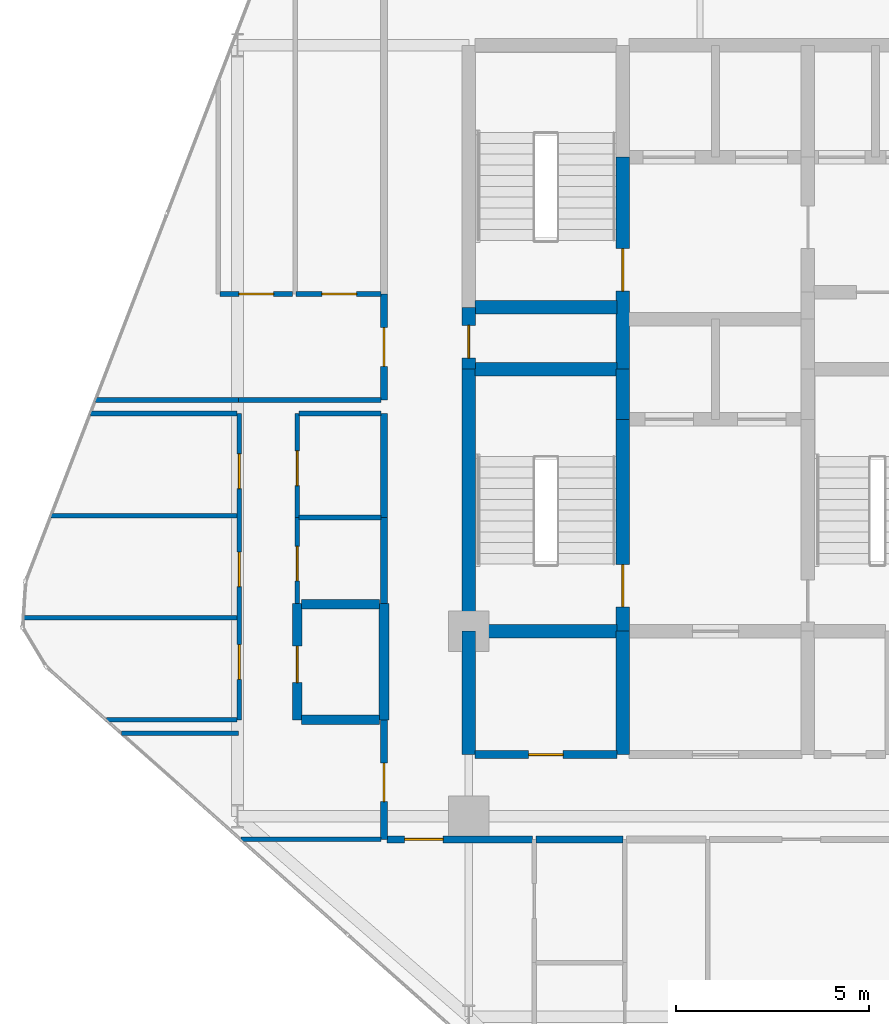
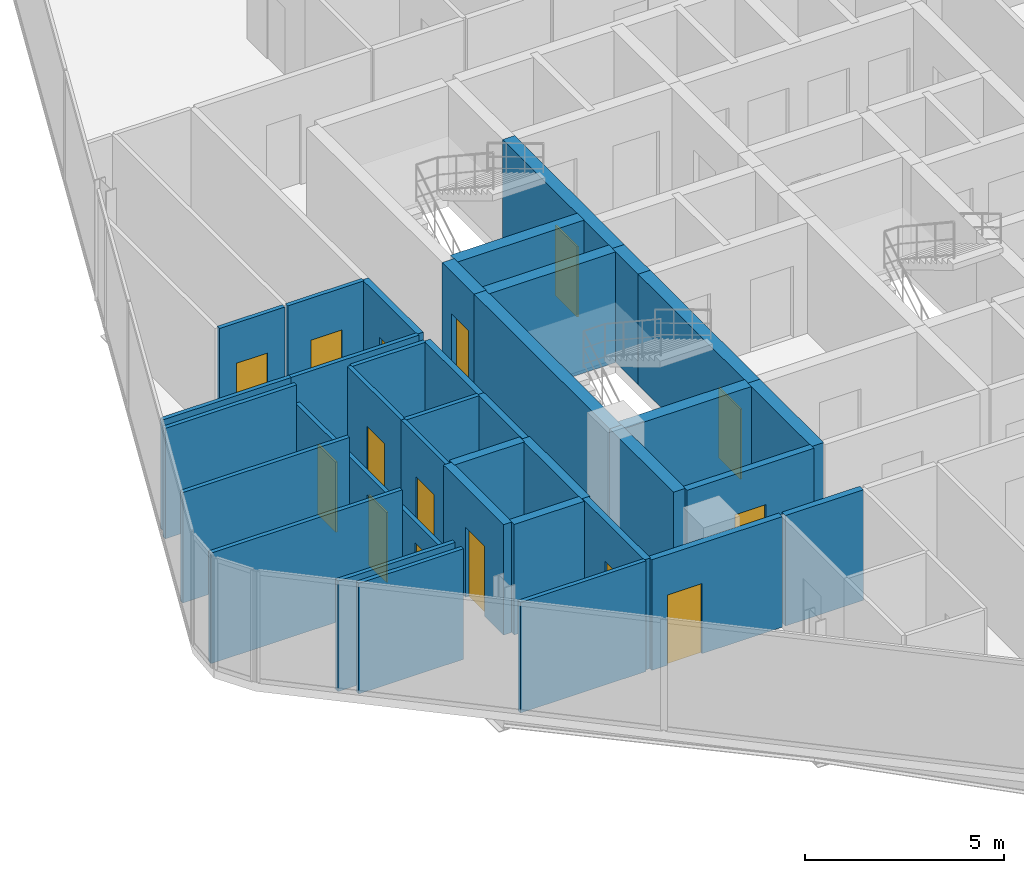
# One storey, part 23 of 29: 36 walls, 15 doors, 15 openings.
"""IFC4 building model written with IfcOpenShell, lengths in metres."""

import ifcopenshell
import ifcopenshell.guid

model = None  # the IFC model being written
_history = None  # IfcOwnerHistory: only IFC2X3 demands one
_inside = {}  # id of a spatial element -> (the spatial element, [elements in it])
_under = {}  # id of a project, library or spatial element -> (it, [spatial elements below it])
_declared = {}  # id of a project -> (the project, [libraries it declares])
_typed = {}  # id of a type object -> (the type object, [elements of that type])
_made_of = {}  # id of a material, layer set ... -> (it, [elements and type objects made of it])


def new_model(schema):
    """Start an empty IFC model of exactly this schema.

    Asked for "IFC4X3", IfcOpenShell would pick the latest addendum, in which some entities
    have other attributes; the version numbers below select the first issue.
    IFC2X3 requires an IfcOwnerHistory on every rooted entity: one is made here for all.
    """
    global model, _history
    if schema == "IFC4X3":
        model = ifcopenshell.file(schema_version=(4, 3, 0, 0))
    else:
        model = ifcopenshell.file(schema=schema)
    _inside.clear()
    _under.clear()
    _declared.clear()
    _typed.clear()
    _made_of.clear()
    _history = None
    if model.schema == "IFC2X3":
        org = make("IfcOrganization", Name="unknown")
        user = make(
            "IfcPersonAndOrganization",
            ThePerson=make("IfcPerson", FamilyName="unknown"),
            TheOrganization=org,
        )
        app = make(
            "IfcApplication",
            ApplicationDeveloper=org,
            Version="unknown",
            ApplicationFullName="unknown",
            ApplicationIdentifier="unknown",
        )
        _history = make(
            "IfcOwnerHistory",
            OwningUser=user,
            OwningApplication=app,
            ChangeAction="ADDED",
            CreationDate=0,
        )
    return model


def make(cls, **values):
    """One entity of the class cls with the attributes given. An attribute that is None is left unset."""
    return model.create_entity(
        cls, **{name: value for name, value in values.items() if value is not None}
    )


def rooted(cls, **values):
    """An entity with a GlobalId (a new one), such as an element, a storey or a relation."""
    return make(cls, GlobalId=ifcopenshell.guid.new(), OwnerHistory=_history, **values)


def si_unit(unit_type, name, prefix=None):
    """IfcSIUnit, for example si_unit("LENGTHUNIT", "METRE", prefix="MILLI")."""
    return make("IfcSIUnit", UnitType=unit_type, Prefix=prefix, Name=name)


def assignment(units):
    """IfcUnitAssignment: the units of a project."""
    return None if units is None else make("IfcUnitAssignment", Units=units)


def point(xyz):
    """IfcCartesianPoint."""
    return None if xyz is None else make("IfcCartesianPoint", Coordinates=xyz)


def direction(xyz):
    """IfcDirection."""
    return None if xyz is None else make("IfcDirection", DirectionRatios=xyz)


def frame(location, z_axis=None, x_axis=None):
    """IfcAxis2Placement3D, a coordinate frame: its origin and axes. An axis left out is left unset."""
    return make(
        "IfcAxis2Placement3D",
        Location=point(location),
        Axis=direction(z_axis),
        RefDirection=direction(x_axis),
    )


def frame_2d(location, x_axis=None):
    """IfcAxis2Placement2D, a coordinate frame in the plane: its origin and x axis."""
    return make(
        "IfcAxis2Placement2D", Location=point(location), RefDirection=direction(x_axis)
    )


def origin():
    """The frame at (0, 0, 0) with its axes left unset."""
    return frame((0.0, 0.0, 0.0))


def place(relative_to, where):
    """IfcLocalPlacement: puts the frame where relative to a parent placement (None: the world)."""
    return make(
        "IfcLocalPlacement", PlacementRelTo=relative_to, RelativePlacement=where
    )


def context(
    kind, dimensions, precision=None, world=None, true_north=None, identifier=None
):
    """IfcGeometricRepresentationContext, for example the 3D "Model" context."""
    return make(
        "IfcGeometricRepresentationContext",
        ContextIdentifier=identifier,
        ContextType=kind,
        CoordinateSpaceDimension=dimensions,
        Precision=precision,
        WorldCoordinateSystem=world,
        TrueNorth=true_north,
    )


def subcontext(parent, identifier, kind, view, scale=None):
    """IfcGeometricRepresentationSubContext, for example "Body" below "Model"."""
    return make(
        "IfcGeometricRepresentationSubContext",
        ContextIdentifier=identifier,
        ContextType=kind,
        ParentContext=parent,
        TargetScale=scale,
        TargetView=view,
    )


def project(units=None, contexts=None):
    """IfcProject with its units and contexts."""
    return rooted(
        "IfcProject",
        Name="project",
        RepresentationContexts=contexts,
        UnitsInContext=assignment(units),
    )


def spatial(cls, under=None, at=None, **own):
    """A site, building, storey or space (cls), placed at a placement, below another one or the project."""
    s = rooted(cls, ObjectPlacement=at, **own)
    if under is not None:
        _under.setdefault(under.id(), (under, []))[1].append(s)
    return s


def profile(cls, at=None, kind="AREA", **sizes):
    """A parametric profile (cls). Its sizes go by their IFC names, for example OverallWidth=200.0."""
    return make(cls, ProfileType=kind, Position=at, **sizes)


def rectangle(**sizes):
    """IfcRectangleProfileDef."""
    return profile("IfcRectangleProfileDef", **sizes)


def extrude(swept, where, along, depth):
    """IfcExtrudedAreaSolid: the profile swept, set in the frame where, extruded along a direction by depth."""
    return make(
        "IfcExtrudedAreaSolid",
        SweptArea=swept,
        Position=where,
        ExtrudedDirection=direction(along),
        Depth=depth,
    )


def shape(context_of_items, identifier, shape_type, items):
    """IfcShapeRepresentation: the items that make up one representation, for example the "Body"."""
    return make(
        "IfcShapeRepresentation",
        ContextOfItems=context_of_items,
        RepresentationIdentifier=identifier,
        RepresentationType=shape_type,
        Items=items,
    )


def material(Name=None, Category=None):
    """IfcMaterial."""
    return make("IfcMaterial", Name=Name, Category=Category)


def layer(
    of_material, thickness, ventilated=None, Name=None, Category=None, Priority=None
):
    """IfcMaterialLayer: one layer of a wall or slab, of a material (None: an air gap)."""
    return make(
        "IfcMaterialLayer",
        Material=of_material,
        LayerThickness=thickness,
        IsVentilated=ventilated,
        Name=Name,
        Category=Category,
        Priority=Priority,
    )


def layer_set(layers, Name=None):
    """IfcMaterialLayerSet."""
    return make("IfcMaterialLayerSet", MaterialLayers=layers, LayerSetName=Name)


def made_of(thing, what):
    """Note that an element or type object is made of a material, layer set ...; save() writes the relation."""
    if what is not None:
        _made_of.setdefault(what.id(), (what, []))[1].append(thing)
    return thing


def type_object(cls, material=None, **own):
    """A type object (cls), such as IfcWallType, which elements share."""
    return made_of(rooted(cls, **own), material)


def element(
    cls,
    number,
    at=None,
    inside=None,
    cuts=None,
    type_object=None,
    material=None,
    context=None,
    identifier="Body",
    shape_type=None,
    held_by="IfcProductDefinitionShape",
    body=None,
    shapes=None,
    **own,
):
    """One element of the class cls, such as IfcWall. Its Tag is "e" and its number.

    at: its placement. inside: the storey or other place that contains it. cuts: it is an
    opening in that element (IfcRelVoidsElement). A single representation is given by context,
    identifier, shape_type and body (its items); several are given by shapes. held_by: the class
    of the entity that holds the representations. save() writes the other relations.
    """
    e = rooted(cls, Tag="e%d" % number, ObjectPlacement=at, **own)
    if body is not None:
        shapes = [shape(context, identifier, shape_type, body)]
    if shapes is not None:
        e.Representation = make(held_by, Representations=shapes)
    if inside is not None:
        _inside.setdefault(inside.id(), (inside, []))[1].append(e)
    if cuts is not None:
        rooted(
            "IfcRelVoidsElement", RelatingBuildingElement=cuts, RelatedOpeningElement=e
        )
    if type_object is not None:
        _typed.setdefault(type_object.id(), (type_object, []))[1].append(e)
    return made_of(e, material)


def fill(opening, filler):
    """IfcRelFillsElement: the door or window that sits in an opening."""
    return rooted(
        "IfcRelFillsElement",
        RelatingOpeningElement=opening,
        RelatedBuildingElement=filler,
    )


def aggregate(whole, parts):
    """IfcRelAggregates: a whole, such as a stair, and the parts it consists of."""
    return rooted("IfcRelAggregates", RelatingObject=whole, RelatedObjects=parts)


def save(model, path):
    """Write the relations noted so far, then the file.

    IfcRelAggregates (storeys below a building ...), IfcRelContainedInSpatialStructure (elements
    in a storey), IfcRelDefinesByType, IfcRelAssociatesMaterial and IfcRelDeclares: one each for
    every whole, place, type object, material and project.
    """
    for whole, parts in _under.values():
        aggregate(whole, parts)
    for where, things in _inside.values():
        rooted(
            "IfcRelContainedInSpatialStructure",
            RelatedElements=things,
            RelatingStructure=where,
        )
    for kind, things in _typed.values():
        rooted("IfcRelDefinesByType", RelatedObjects=things, RelatingType=kind)
    for what, things in _made_of.values():
        rooted("IfcRelAssociatesMaterial", RelatedObjects=things, RelatingMaterial=what)
    for by, libraries in _declared.values():
        rooted("IfcRelDeclares", RelatingContext=by, RelatedDefinitions=libraries)
    model.write(path)


model = new_model("IFC4")

# Units and contexts
model_context = context("Model", 3, precision=1e-05, world=origin(), true_north=direction((0.0, 1.0)))
body_context = subcontext(model_context, "Body", "Model", "MODEL_VIEW")
ifc_project = project(units=[si_unit("LENGTHUNIT", "METRE"), si_unit("AREAUNIT", "SQUARE_METRE"), si_unit("VOLUMEUNIT", "CUBIC_METRE"), si_unit("PLANEANGLEUNIT", "RADIAN"), si_unit("MASSUNIT", "GRAM", prefix="KILO")], contexts=[model_context])

# Site, building, storey
site_placement = place(None, origin())
site = spatial("IfcSite", under=ifc_project, at=site_placement, CompositionType="ELEMENT")
building_placement = place(site_placement, origin())
building = spatial("IfcBuilding", under=site, at=building_placement, Name="Keshet Zoharim Tower", CompositionType="ELEMENT")
storey_placement = place(building_placement, frame((0.0, 0.0, 105.699951171875)))
storey = spatial("IfcBuildingStorey", under=building, at=storey_placement, Name="L25", CompositionType="ELEMENT", Elevation=105.699951171875)

# Walls
ifc_material_1 = material(Name="Concrete C60/75", Category="concrete")
ifc_layer_1 = layer(ifc_material_1, 0.35009765625)
ifc_layer_set_1 = layer_set([ifc_layer_1], Name="Concrete C60/75")
wall_type_1 = type_object("IfcWallType", Name="WL-CORE-350", PredefinedType="SHEAR", material=ifc_layer_set_1)
wall_1_placement = place(storey_placement, frame((15.0, 19.5, 0.0), z_axis=(0.0, 0.0, 1.0), x_axis=(0.0, 1.0, 0.0)))
element("IfcWall", 1, at=wall_1_placement, inside=storey, type_object=wall_type_1, Name="L25 Core Shear Wall 013", PredefinedType="SHEAR", context=body_context, shape_type="SweptSolid", body=[
    extrude(rectangle(XDim=3.199951171875, YDim=0.35009765625, at=frame_2d((1.60009765625, 0.0))), origin(), (0.0, 0.0, 1.0), 3.385009765625),
])
wall_2_placement = place(storey_placement, frame((15.0, 22.699951171875, 0.0), z_axis=(0.0, 0.0, 1.0), x_axis=(0.0, 1.0, 0.0)))
element("IfcWall", 2, at=wall_2_placement, inside=storey, type_object=wall_type_1, Name="L25 Core Shear Wall 014", PredefinedType="SHEAR", context=body_context, shape_type="SweptSolid", body=[
    extrude(rectangle(XDim=6.800048828125, YDim=0.35009765625, at=frame_2d((3.39990234375, 0.0))), origin(), (0.0, 0.0, 1.0), 3.385009765625),
])

# Wall, opening, door
wall_3_placement = place(storey_placement, frame((15.0, 29.5, 0.0), z_axis=(0.0, 0.0, 1.0), x_axis=(0.0, 1.0, 0.0)))
wall_3 = element("IfcWall", 3, at=wall_3_placement, inside=storey, type_object=wall_type_1, Name="L25 Core Shear Wall 015", PredefinedType="SHEAR", context=body_context, shape_type="SweptSolid", body=[
    extrude(rectangle(XDim=1.60009765625, YDim=0.35009765625, at=frame_2d((0.800048828125, 0.0))), origin(), (0.0, 0.0, 1.0), 3.385009765625),
])
opening_1_placement = place(wall_3_placement, frame((0.287109375, 0.0, 0.0)))
opening_1 = element("IfcOpeningElement", 4, at=opening_1_placement, cuts=wall_3, Name="Opening D-RS85", PredefinedType="OPENING", context=body_context, shape_type="SweptSolid", body=[
    extrude(rectangle(XDim=0.85009765625, YDim=2.10009765625, at=frame_2d((0.425048828125, 1.050048828125))), frame((0.0, 0.18505859375, 0.0), z_axis=(0.0, -1.0, 0.0), x_axis=(1.0, 0.0, 0.0)), (0.0, 0.0, 1.0), 0.3701171875),
])
ifc_material_2 = material(Name="Hardwood Timber", Category="wood")
door_type_1 = type_object("IfcDoorType", Name="DR-RIS-085", OperationType="NOTDEFINED", PredefinedType="DOOR", material=ifc_material_2)
door_1_placement = place(opening_1_placement, origin())
door_1 = element("IfcDoor", 5, at=door_1_placement, inside=storey, type_object=door_type_1, Name="L25 Electrical Riser Access Cupboard Door", OperationType="SINGLE_SWING_RIGHT", OverallHeight=2.10009765625, OverallWidth=0.85009765625, PredefinedType="DOOR", context=body_context, shape_type="SweptSolid", body=[
    extrude(rectangle(XDim=0.85009765625, YDim=2.10009765625, at=frame_2d((0.425048828125, 1.050048828125))), frame((0.0, 0.02490234375, 0.0), z_axis=(0.0, -1.0, 0.0), x_axis=(1.0, 0.0, 0.0)), (0.0, 0.0, 1.0), 0.050048828125),
])
fill(opening_1, door_1)

# Wall
wall_4_placement = place(storey_placement, frame((19.0, 19.5, 0.0), z_axis=(0.0, 0.0, 1.0), x_axis=(0.0, 1.0, 0.0)))
element("IfcWall", 6, at=wall_4_placement, inside=storey, type_object=wall_type_1, Name="L25 Core Shear Wall 021", PredefinedType="SHEAR", context=body_context, shape_type="SweptSolid", body=[
    extrude(rectangle(XDim=3.199951171875, YDim=0.35009765625, at=frame_2d((1.60009765625, 0.0))), origin(), (0.0, 0.0, 1.0), 3.385009765625),
])

# Wall, opening, door
wall_5_placement = place(storey_placement, frame((19.0, 22.699951171875, 0.0), z_axis=(0.0, 0.0, 1.0), x_axis=(0.0, 1.0, 0.0)))
wall_5 = element("IfcWall", 7, at=wall_5_placement, inside=storey, type_object=wall_type_1, Name="L25 Core Shear Wall 022", PredefinedType="SHEAR", context=body_context, shape_type="SweptSolid", body=[
    extrude(rectangle(XDim=5.5, YDim=0.35009765625, at=frame_2d((2.75, 0.0))), origin(), (0.0, 0.0, 1.0), 3.385009765625),
])
opening_2_placement = place(wall_5_placement, frame((0.631103515625, 0.0, 0.0)))
opening_2 = element("IfcOpeningElement", 8, at=opening_2_placement, cuts=wall_5, Name="Opening D-F611", PredefinedType="OPENING", context=body_context, shape_type="SweptSolid", body=[
    extrude(rectangle(XDim=1.10009765625, YDim=2.14990234375, at=frame_2d((0.550048828125, 1.074951171875))), frame((0.0, 0.18505859375, 0.0), z_axis=(0.0, -1.0, 0.0), x_axis=(1.0, 0.0, 0.0)), (0.0, 0.0, 1.0), 0.3701171875),
])
door_type_2 = type_object("IfcDoorType", Name="DR-FD60-110", OperationType="NOTDEFINED", PredefinedType="DOOR", material=ifc_material_2)
door_2_placement = place(opening_2_placement, origin())
door_2 = element("IfcDoor", 9, at=door_2_placement, inside=storey, type_object=door_type_2, Name="L25 Exit Stair ST-01 Fire Door", OperationType="SINGLE_SWING_LEFT", OverallHeight=2.14990234375, OverallWidth=1.10009765625, PredefinedType="DOOR", context=body_context, shape_type="SweptSolid", body=[
    extrude(rectangle(XDim=1.10009765625, YDim=2.14990234375, at=frame_2d((0.550048828125, 1.074951171875))), frame((0.0, 0.02490234375, 0.0), z_axis=(0.0, -1.0, 0.0), x_axis=(1.0, 0.0, 0.0)), (0.0, 0.0, 1.0), 0.050048828125),
])
fill(opening_2, door_2)

# Wall
wall_6_placement = place(storey_placement, frame((19.0, 28.199951171875, 0.0), z_axis=(0.0, 0.0, 1.0), x_axis=(0.0, 1.0, 0.0)))
element("IfcWall", 10, at=wall_6_placement, inside=storey, type_object=wall_type_1, Name="L25 Core Shear Wall 023", PredefinedType="SHEAR", context=body_context, shape_type="SweptSolid", body=[
    extrude(rectangle(XDim=1.300048828125, YDim=0.35009765625, at=frame_2d((0.64990234375, 0.0))), origin(), (0.0, 0.0, 1.0), 3.385009765625),
])

# Wall, opening, door
wall_7_placement = place(storey_placement, frame((19.0, 29.5, 0.0), z_axis=(0.0, 0.0, 1.0), x_axis=(0.0, 1.0, 0.0)))
wall_7 = element("IfcWall", 11, at=wall_7_placement, inside=storey, type_object=wall_type_1, Name="L25 Core Shear Wall 024", PredefinedType="SHEAR", context=body_context, shape_type="SweptSolid", body=[
    extrude(rectangle(XDim=5.5, YDim=0.35009765625, at=frame_2d((2.75, 0.0))), origin(), (0.0, 0.0, 1.0), 3.385009765625),
])
opening_3_placement = place(wall_7_placement, frame((2.02490234375, 0.0, 0.0)))
opening_3 = element("IfcOpeningElement", 12, at=opening_3_placement, cuts=wall_7, Name="Opening D-F611", PredefinedType="OPENING", context=body_context, shape_type="SweptSolid", body=[
    extrude(rectangle(XDim=1.10009765625, YDim=2.14990234375, at=frame_2d((0.550048828125, 1.074951171875))), frame((0.0, 0.18505859375, 0.0), z_axis=(0.0, -1.0, 0.0), x_axis=(1.0, 0.0, 0.0)), (0.0, 0.0, 1.0), 0.3701171875),
])
door_3_placement = place(opening_3_placement, origin())
door_3 = element("IfcDoor", 13, at=door_3_placement, inside=storey, type_object=door_type_2, Name="L25 Exit Stair ST-02 Fire Door", OperationType="SINGLE_SWING_RIGHT", OverallHeight=2.14990234375, OverallWidth=1.10009765625, PredefinedType="DOOR", context=body_context, shape_type="SweptSolid", body=[
    extrude(rectangle(XDim=1.10009765625, YDim=2.14990234375, at=frame_2d((0.550048828125, 1.074951171875))), frame((0.0, 0.02490234375, 0.0), z_axis=(0.0, -1.0, 0.0), x_axis=(1.0, 0.0, 0.0)), (0.0, 0.0, 1.0), 0.050048828125),
])
fill(opening_3, door_3)

# Walls
for number, where, z_axis, x_axis, name in (
    (14, (15.159912109375, 22.699951171875, 0.0), (0.0, 0.0, 1.0), (1.0, 0.0, 0.0), "L25 Core Shear Wall 149"),
    (15, (15.159912109375, 29.5, 0.0), (0.0, 0.0, 1.0), (1.0, 0.0, 0.0), "L25 Core Shear Wall 167"),
    (16, (15.159912109375, 31.10009765625, 0.0), (0.0, 0.0, 1.0), (1.0, 0.0, 0.0), "L25 Core Shear Wall 170"),
):
    element("IfcWall", number, at=place(storey_placement, frame(where, z_axis=z_axis, x_axis=x_axis)), inside=storey, type_object=wall_type_1, Name=name, PredefinedType="SHEAR", context=body_context, shape_type="SweptSolid", body=[
        extrude(rectangle(XDim=3.68017578125, YDim=0.35009765625, at=frame_2d((1.840087890625, 0.0))), origin(), (0.0, 0.0, 1.0), 3.385009765625),
    ])

# Wall, opening, door
ifc_material_3 = material(Name="Gypsum Plasterboard", Category="gypsum")
ifc_layer_2 = layer(ifc_material_3, 0.179931640625)
ifc_layer_set_2 = layer_set([ifc_layer_2], Name="Gypsum Plasterboard")
wall_type_2 = type_object("IfcWallType", Name="WL-CORR-180", PredefinedType="STANDARD", material=ifc_layer_set_2)
wall_8_placement = place(storey_placement, frame((12.800048828125, 17.300048828125, 0.0), z_axis=(0.0, 0.0, 1.0), x_axis=(0.0, 1.0, 0.0)))
wall_8 = element("IfcWall", 17, at=wall_8_placement, inside=storey, type_object=wall_type_2, Name="L25 Interior Wall 007", PredefinedType="STANDARD", context=body_context, shape_type="SweptSolid", body=[
    extrude(rectangle(XDim=3.099853515625, YDim=0.179931640625, at=frame_2d((1.5498046875, 0.0))), origin(), (0.0, 0.0, 1.0), 3.385009765625),
])
opening_4_placement = place(wall_8_placement, frame((0.97802734375, 0.0, 0.0)))
opening_4 = element("IfcOpeningElement", 18, at=opening_4_placement, cuts=wall_8, Name="Opening D-F310", PredefinedType="OPENING", context=body_context, shape_type="SweptSolid", body=[
    extrude(rectangle(XDim=1.0, YDim=2.14990234375, at=frame_2d((0.5, 1.074951171875))), frame((0.0, 0.10009765625, 0.0), z_axis=(0.0, -1.0, 0.0), x_axis=(1.0, 0.0, 0.0)), (0.0, 0.0, 1.0), 0.199951171875),
])
door_type_3 = type_object("IfcDoorType", Name="DR-FD30-100", OperationType="NOTDEFINED", PredefinedType="DOOR", material=ifc_material_2)
door_4_placement = place(opening_4_placement, origin())
door_4 = element("IfcDoor", 19, at=door_4_placement, inside=storey, type_object=door_type_3, Name="Apartment 2508 Entrance Door", OperationType="SINGLE_SWING_RIGHT", OverallHeight=2.14990234375, OverallWidth=1.0, PredefinedType="DOOR", context=body_context, shape_type="SweptSolid", body=[
    extrude(rectangle(XDim=1.0, YDim=2.14990234375, at=frame_2d((0.5, 1.074951171875))), frame((0.0, 0.02490234375, 0.0), z_axis=(0.0, -1.0, 0.0), x_axis=(1.0, 0.0, 0.0)), (0.0, 0.0, 1.0), 0.050048828125),
])
fill(opening_4, door_4)

# Walls
wall_9_placement = place(storey_placement, frame((12.800048828125, 23.4208984375, 0.0), z_axis=(0.0, 0.0, 1.0), x_axis=(0.0, 1.0, 0.0)))
element("IfcWall", 20, at=wall_9_placement, inside=storey, type_object=wall_type_2, Name="L25 Interior Wall 009", PredefinedType="STANDARD", context=body_context, shape_type="SweptSolid", body=[
    extrude(rectangle(XDim=2.22607421875, YDim=0.179931640625, at=frame_2d((1.113037109375, 0.0))), origin(), (0.0, 0.0, 1.0), 3.385009765625),
])
wall_10_placement = place(storey_placement, frame((12.800048828125, 25.64697265625, 0.0), z_axis=(0.0, 0.0, 1.0), x_axis=(0.0, 1.0, 0.0)))
element("IfcWall", 21, at=wall_10_placement, inside=storey, type_object=wall_type_2, Name="L25 Interior Wall 010", PredefinedType="STANDARD", context=body_context, shape_type="SweptSolid", body=[
    extrude(rectangle(XDim=2.703125, YDim=0.179931640625, at=frame_2d((1.3515625, 0.0))), origin(), (0.0, 0.0, 1.0), 3.385009765625),
])

# Wall, opening, door
wall_11_placement = place(storey_placement, frame((12.800048828125, 28.699951171875, 0.0), z_axis=(0.0, 0.0, 1.0), x_axis=(0.0, 1.0, 0.0)))
wall_11 = element("IfcWall", 22, at=wall_11_placement, inside=storey, type_object=wall_type_2, Name="L25 Interior Wall 011", PredefinedType="STANDARD", context=body_context, shape_type="SweptSolid", body=[
    extrude(rectangle(XDim=2.75, YDim=0.179931640625, at=frame_2d((1.375, 0.0))), origin(), (0.0, 0.0, 1.0), 3.385009765625),
])
opening_5_placement = place(wall_11_placement, frame((0.875, 0.0, 0.0)))
opening_5 = element("IfcOpeningElement", 23, at=opening_5_placement, cuts=wall_11, Name="Opening D-F310", PredefinedType="OPENING", context=body_context, shape_type="SweptSolid", body=[
    extrude(rectangle(XDim=1.0, YDim=2.14990234375, at=frame_2d((0.5, 1.074951171875))), frame((0.0, 0.10009765625, 0.0), z_axis=(0.0, -1.0, 0.0), x_axis=(1.0, 0.0, 0.0)), (0.0, 0.0, 1.0), 0.199951171875),
])
door_5_placement = place(opening_5_placement, origin())
door_5 = element("IfcDoor", 24, at=door_5_placement, inside=storey, type_object=door_type_3, Name="Apartment 2509 Entrance Door", OperationType="SINGLE_SWING_LEFT", OverallHeight=2.14990234375, OverallWidth=1.0, PredefinedType="DOOR", context=body_context, shape_type="SweptSolid", body=[
    extrude(rectangle(XDim=1.0, YDim=2.14990234375, at=frame_2d((0.5, 1.074951171875))), frame((0.0, 0.02490234375, 0.0), z_axis=(0.0, -1.0, 0.0), x_axis=(1.0, 0.0, 0.0)), (0.0, 0.0, 1.0), 0.050048828125),
])
fill(opening_5, door_5)

wall_12_placement = place(storey_placement, frame((12.875, 17.300048828125, 0.0), z_axis=(0.0, 0.0, 1.0), x_axis=(1.0, 0.0, 0.0)))
wall_12 = element("IfcWall", 25, at=wall_12_placement, inside=storey, type_object=wall_type_2, Name="L25 Interior Wall 127", PredefinedType="STANDARD", context=body_context, shape_type="SweptSolid", body=[
    extrude(rectangle(XDim=3.780029296875, YDim=0.179931640625, at=frame_2d((1.89013671875, 0.0))), origin(), (0.0, 0.0, 1.0), 3.385009765625),
])
opening_6_placement = place(wall_12_placement, frame((0.4580078125, 0.0, 0.0)))
opening_6 = element("IfcOpeningElement", 26, at=opening_6_placement, cuts=wall_12, Name="Opening D-F310", PredefinedType="OPENING", context=body_context, shape_type="SweptSolid", body=[
    extrude(rectangle(XDim=1.0, YDim=2.14990234375, at=frame_2d((0.5, 1.074951171875))), frame((0.0, 0.10009765625, 0.0), z_axis=(0.0, -1.0, 0.0), x_axis=(1.0, 0.0, 0.0)), (0.0, 0.0, 1.0), 0.199951171875),
])
door_6_placement = place(opening_6_placement, origin())
door_6 = element("IfcDoor", 27, at=door_6_placement, inside=storey, type_object=door_type_3, Name="Apartment 2501 Entrance Door", OperationType="SINGLE_SWING_RIGHT", OverallHeight=2.14990234375, OverallWidth=1.0, PredefinedType="DOOR", context=body_context, shape_type="SweptSolid", body=[
    extrude(rectangle(XDim=1.0, YDim=2.14990234375, at=frame_2d((0.5, 1.074951171875))), frame((0.0, 0.02490234375, 0.0), z_axis=(0.0, -1.0, 0.0), x_axis=(1.0, 0.0, 0.0)), (0.0, 0.0, 1.0), 0.050048828125),
])
fill(opening_6, door_6)

# Wall
wall_13_placement = place(storey_placement, frame((16.7451171875, 17.300048828125, 0.0), z_axis=(0.0, 0.0, 1.0), x_axis=(1.0, 0.0, 0.0)))
element("IfcWall", 28, at=wall_13_placement, inside=storey, type_object=wall_type_2, Name="L25 Interior Wall 128", PredefinedType="STANDARD", context=body_context, shape_type="SweptSolid", body=[
    extrude(rectangle(XDim=2.259765625, YDim=0.179931640625, at=frame_2d((1.1298828125, 0.0))), origin(), (0.0, 0.0, 1.0), 3.385009765625),
])

# Wall, opening, door
ifc_material_4 = material(Name="Concrete C50/60", Category="concrete")
ifc_layer_3 = layer(ifc_material_4, 0.199951171875)
ifc_layer_set_3 = layer_set([ifc_layer_3], Name="Concrete C50/60")
wall_type_3 = type_object("IfcWallType", Name="WL-FIRE-200", PredefinedType="STANDARD", material=ifc_layer_set_3)
wall_14_placement = place(storey_placement, frame((15.159912109375, 19.5, 0.0), z_axis=(0.0, 0.0, 1.0), x_axis=(1.0, 0.0, 0.0)))
wall_14 = element("IfcWall", 29, at=wall_14_placement, inside=storey, type_object=wall_type_3, Name="L25 Interior Wall 141", PredefinedType="STANDARD", context=body_context, shape_type="SweptSolid", body=[
    extrude(rectangle(XDim=3.68017578125, YDim=0.199951171875, at=frame_2d((1.840087890625, 0.0))), origin(), (0.0, 0.0, 1.0), 3.385009765625),
])
opening_7_placement = place(wall_14_placement, frame((1.389892578125, 0.0, 0.0)))
opening_7 = element("IfcOpeningElement", 30, at=opening_7_placement, cuts=wall_14, Name="Opening D-F690", PredefinedType="OPENING", context=body_context, shape_type="SweptSolid", body=[
    extrude(rectangle(XDim=0.89990234375, YDim=2.14990234375, at=frame_2d((0.449951171875, 1.074951171875))), frame((0.0, 0.10986328125, 0.0), z_axis=(0.0, -1.0, 0.0), x_axis=(1.0, 0.0, 0.0)), (0.0, 0.0, 1.0), 0.219970703125),
])
door_type_4 = type_object("IfcDoorType", Name="DR-FD60-090", OperationType="NOTDEFINED", PredefinedType="DOOR", material=ifc_material_2)
door_7_placement = place(opening_7_placement, origin())
door_7 = element("IfcDoor", 31, at=door_7_placement, inside=storey, type_object=door_type_4, Name="L25 Refuse Room Door", OperationType="SINGLE_SWING_RIGHT", OverallHeight=2.14990234375, OverallWidth=0.89990234375, PredefinedType="DOOR", context=body_context, shape_type="SweptSolid", body=[
    extrude(rectangle(XDim=0.89990234375, YDim=2.14990234375, at=frame_2d((0.449951171875, 1.074951171875))), frame((0.0, 0.02490234375, 0.0), z_axis=(0.0, -1.0, 0.0), x_axis=(1.0, 0.0, 0.0)), (0.0, 0.0, 1.0), 0.050048828125),
])
fill(opening_7, door_7)

ifc_layer_4 = layer(ifc_material_4, 0.25)
ifc_layer_set_4 = layer_set([ifc_layer_4], Name="Concrete C50/60")
wall_type_4 = type_object("IfcWallType", Name="WL-MAMAD-250", PredefinedType="STANDARD", material=ifc_layer_set_4)
wall_15_placement = place(storey_placement, frame((10.550048828125, 20.39990234375, 0.0), z_axis=(0.0, 0.0, 1.0), x_axis=(0.0, 1.0, 0.0)))
wall_15 = element("IfcWall", 32, at=wall_15_placement, inside=storey, type_object=wall_type_4, Name="L25 Interior Wall 004", PredefinedType="STANDARD", context=body_context, shape_type="SweptSolid", body=[
    extrude(rectangle(XDim=3.02099609375, YDim=0.25, at=frame_2d((1.510498046875, 0.0))), origin(), (0.0, 0.0, 1.0), 3.385009765625),
])
opening_8_placement = place(wall_15_placement, frame((0.964111328125, 0.0, 0.0)))
opening_8 = element("IfcOpeningElement", 33, at=opening_8_placement, cuts=wall_15, Name="Opening D-F695", PredefinedType="OPENING", context=body_context, shape_type="SweptSolid", body=[
    extrude(rectangle(XDim=0.949951171875, YDim=2.14990234375, at=frame_2d((0.47509765625, 1.074951171875))), frame((0.0, 0.135009765625, 0.0), z_axis=(0.0, -1.0, 0.0), x_axis=(1.0, 0.0, 0.0)), (0.0, 0.0, 1.0), 0.27001953125),
])
door_type_5 = type_object("IfcDoorType", Name="DR-FD60-095", OperationType="NOTDEFINED", PredefinedType="DOOR", material=ifc_material_2)
door_8_placement = place(opening_8_placement, origin())
door_8 = element("IfcDoor", 34, at=door_8_placement, inside=storey, type_object=door_type_5, Name="Apartment 2508 Study and Shelter Room Door", OperationType="SINGLE_SWING_LEFT", OverallHeight=2.14990234375, OverallWidth=0.949951171875, PredefinedType="DOOR", context=body_context, shape_type="SweptSolid", body=[
    extrude(rectangle(XDim=0.949951171875, YDim=2.14990234375, at=frame_2d((0.47509765625, 1.074951171875))), frame((0.0, 0.02490234375, 0.0), z_axis=(0.0, -1.0, 0.0), x_axis=(1.0, 0.0, 0.0)), (0.0, 0.0, 1.0), 0.050048828125),
])
fill(opening_8, door_8)

# Walls
wall_16_placement = place(storey_placement, frame((12.800048828125, 20.39990234375, 0.0), z_axis=(0.0, 0.0, 1.0), x_axis=(0.0, 1.0, 0.0)))
element("IfcWall", 35, at=wall_16_placement, inside=storey, type_object=wall_type_4, Name="L25 Interior Wall 008", PredefinedType="STANDARD", context=body_context, shape_type="SweptSolid", body=[
    extrude(rectangle(XDim=3.02099609375, YDim=0.25, at=frame_2d((1.510498046875, 0.0))), origin(), (0.0, 0.0, 1.0), 3.385009765625),
])
for number, where, z_axis, x_axis, name in (
    (36, (10.659912109375, 20.39990234375, 0.0), (0.0, 0.0, 1.0), (1.0, 0.0, 0.0), "L25 Interior Wall 148"),
    (37, (10.659912109375, 23.39990234375, 0.0), (0.0, 0.0, 1.0), (1.0, 0.0, 0.0), "L25 Interior Wall 155"),
):
    element("IfcWall", number, at=place(storey_placement, frame(where, z_axis=z_axis, x_axis=x_axis)), inside=storey, type_object=wall_type_4, Name=name, PredefinedType="STANDARD", context=body_context, shape_type="SweptSolid", body=[
        extrude(rectangle(XDim=2.030029296875, YDim=0.25, at=frame_2d((1.01513671875, 0.0))), origin(), (0.0, 0.0, 1.0), 3.385009765625),
    ])

# Wall, openings, doors
ifc_layer_5 = layer(ifc_material_3, 0.1201171875)
ifc_layer_set_5 = layer_set([ifc_layer_5], Name="Gypsum Plasterboard")
wall_type_5 = type_object("IfcWallType", Name="WL-PART-120", PredefinedType="PARTITIONING", material=ifc_layer_set_5)
wall_17_placement = place(storey_placement, frame((9.050048828125, 20.39990234375, 0.0), z_axis=(0.0, 0.0, 1.0), x_axis=(0.0, 1.0, 0.0)))
wall_17 = element("IfcWall", 38, at=wall_17_placement, inside=storey, type_object=wall_type_5, Name="L25 Interior Wall 002", PredefinedType="PARTITIONING", context=body_context, shape_type="SweptSolid", body=[
    extrude(rectangle(XDim=7.9501953125, YDim=0.1201171875, at=frame_2d((3.97509765625, 0.0))), origin(), (0.0, 0.0, 1.0), 2.78515625),
])
opening_9_placement = place(wall_17_placement, frame((1.050048828125, 0.0, 0.0)))
opening_9 = element("IfcOpeningElement", 39, at=opening_9_placement, cuts=wall_17, Name="Opening D-IN90", PredefinedType="OPENING", context=body_context, shape_type="SweptSolid", body=[
    extrude(rectangle(XDim=0.89990234375, YDim=2.14990234375, at=frame_2d((0.449951171875, 1.074951171875))), frame((0.0, 0.070068359375, 0.0), z_axis=(0.0, -1.0, 0.0), x_axis=(1.0, 0.0, 0.0)), (0.0, 0.0, 1.0), 0.14013671875),
])
opening_10_placement = place(wall_17_placement, frame((3.455078125, 0.0, 0.0)))
opening_10 = element("IfcOpeningElement", 40, at=opening_10_placement, cuts=wall_17, Name="Opening D-IN90", PredefinedType="OPENING", context=body_context, shape_type="SweptSolid", body=[
    extrude(rectangle(XDim=0.89990234375, YDim=2.14990234375, at=frame_2d((0.449951171875, 1.074951171875))), frame((0.0, 0.070068359375, 0.0), z_axis=(0.0, -1.0, 0.0), x_axis=(1.0, 0.0, 0.0)), (0.0, 0.0, 1.0), 0.14013671875),
])
opening_11_placement = place(wall_17_placement, frame((6.0, 0.0, 0.0)))
opening_11 = element("IfcOpeningElement", 41, at=opening_11_placement, cuts=wall_17, Name="Opening D-IN90", PredefinedType="OPENING", context=body_context, shape_type="SweptSolid", body=[
    extrude(rectangle(XDim=0.89990234375, YDim=2.14990234375, at=frame_2d((0.449951171875, 1.074951171875))), frame((0.0, 0.070068359375, 0.0), z_axis=(0.0, -1.0, 0.0), x_axis=(1.0, 0.0, 0.0)), (0.0, 0.0, 1.0), 0.14013671875),
])
door_type_6 = type_object("IfcDoorType", Name="DR-INT-090", OperationType="NOTDEFINED", PredefinedType="DOOR", material=ifc_material_2)
door_9_placement = place(opening_9_placement, origin())
door_9 = element("IfcDoor", 42, at=door_9_placement, inside=storey, type_object=door_type_6, Name="Apartment 2508 Bedroom 1 Door", OperationType="SINGLE_SWING_RIGHT", OverallHeight=2.14990234375, OverallWidth=0.89990234375, PredefinedType="DOOR", context=body_context, shape_type="SweptSolid", body=[
    extrude(rectangle(XDim=0.89990234375, YDim=2.14990234375, at=frame_2d((0.449951171875, 1.074951171875))), frame((0.0, 0.02490234375, 0.0), z_axis=(0.0, -1.0, 0.0), x_axis=(1.0, 0.0, 0.0)), (0.0, 0.0, 1.0), 0.050048828125),
])
fill(opening_9, door_9)
door_10_placement = place(opening_10_placement, origin())
door_10 = element("IfcDoor", 43, at=door_10_placement, inside=storey, type_object=door_type_6, Name="Apartment 2508 Bedroom 2 Door", OperationType="SINGLE_SWING_LEFT", OverallHeight=2.14990234375, OverallWidth=0.89990234375, PredefinedType="DOOR", context=body_context, shape_type="SweptSolid", body=[
    extrude(rectangle(XDim=0.89990234375, YDim=2.14990234375, at=frame_2d((0.449951171875, 1.074951171875))), frame((0.0, 0.02490234375, 0.0), z_axis=(0.0, -1.0, 0.0), x_axis=(1.0, 0.0, 0.0)), (0.0, 0.0, 1.0), 0.050048828125),
])
fill(opening_10, door_10)
door_11_placement = place(opening_11_placement, origin())
door_11 = element("IfcDoor", 44, at=door_11_placement, inside=storey, type_object=door_type_6, Name="Apartment 2508 Bedroom 3 Door", OperationType="SINGLE_SWING_RIGHT", OverallHeight=2.14990234375, OverallWidth=0.89990234375, PredefinedType="DOOR", context=body_context, shape_type="SweptSolid", body=[
    extrude(rectangle(XDim=0.89990234375, YDim=2.14990234375, at=frame_2d((0.449951171875, 1.074951171875))), frame((0.0, 0.02490234375, 0.0), z_axis=(0.0, -1.0, 0.0), x_axis=(1.0, 0.0, 0.0)), (0.0, 0.0, 1.0), 0.050048828125),
])
fill(opening_11, door_11)

# Wall, opening, door
wall_18_placement = place(storey_placement, frame((10.550048828125, 25.64697265625, 0.0), z_axis=(0.0, 0.0, 1.0), x_axis=(0.0, 1.0, 0.0)))
wall_18 = element("IfcWall", 45, at=wall_18_placement, inside=storey, type_object=wall_type_5, Name="L25 Interior Wall 006", PredefinedType="PARTITIONING", context=body_context, shape_type="SweptSolid", body=[
    extrude(rectangle(XDim=2.703125, YDim=0.1201171875, at=frame_2d((1.3515625, 0.0))), origin(), (0.0, 0.0, 1.0), 3.385009765625),
])
opening_12_placement = place(wall_18_placement, frame((0.830078125, 0.0, 0.0)))
opening_12 = element("IfcOpeningElement", 46, at=opening_12_placement, cuts=wall_18, Name="Opening D-IN90", PredefinedType="OPENING", context=body_context, shape_type="SweptSolid", body=[
    extrude(rectangle(XDim=0.89990234375, YDim=2.14990234375, at=frame_2d((0.449951171875, 1.074951171875))), frame((0.0, 0.070068359375, 0.0), z_axis=(0.0, -1.0, 0.0), x_axis=(1.0, 0.0, 0.0)), (0.0, 0.0, 1.0), 0.14013671875),
])
door_12_placement = place(opening_12_placement, origin())
door_12 = element("IfcDoor", 47, at=door_12_placement, inside=storey, type_object=door_type_6, Name="Apartment 2508 Kitchen Door", OperationType="SINGLE_SWING_LEFT", OverallHeight=2.14990234375, OverallWidth=0.89990234375, PredefinedType="DOOR", context=body_context, shape_type="SweptSolid", body=[
    extrude(rectangle(XDim=0.89990234375, YDim=2.14990234375, at=frame_2d((0.449951171875, 1.074951171875))), frame((0.0, 0.02490234375, 0.0), z_axis=(0.0, -1.0, 0.0), x_axis=(1.0, 0.0, 0.0)), (0.0, 0.0, 1.0), 0.050048828125),
])
fill(opening_12, door_12)

# Walls
wall_19_placement = place(storey_placement, frame((9.0849609375, 17.300048828125, 0.0), z_axis=(0.0, 0.0, 1.0), x_axis=(1.0, 0.0, 0.0)))
element("IfcWall", 48, at=wall_19_placement, inside=storey, type_object=wall_type_5, Name="L25 Interior Wall 126", PredefinedType="PARTITIONING", context=body_context, shape_type="SweptSolid", body=[
    extrude(rectangle(XDim=3.64013671875, YDim=0.1201171875, at=frame_2d((1.820068359375, 0.0))), origin(), (0.0, 0.0, 1.0), 3.385009765625),
])
wall_20_placement = place(storey_placement, frame((5.990966796875, 20.050048828125, 0.0), z_axis=(0.0, 0.0, 1.0), x_axis=(1.0, 0.0, 0.0)))
element("IfcWall", 49, at=wall_20_placement, inside=storey, type_object=wall_type_5, Name="L25 Interior Wall 146", PredefinedType="PARTITIONING", context=body_context, shape_type="SweptSolid", body=[
    extrude(rectangle(XDim=3.0390625, YDim=0.1201171875, at=frame_2d((1.51953125, 0.0))), origin(), (0.0, 0.0, 1.0), 3.385009765625),
])
wall_21_placement = place(storey_placement, frame((5.596923828125, 20.39990234375, 0.0), z_axis=(0.0, 0.0, 1.0), x_axis=(1.0, 0.0, 0.0)))
element("IfcWall", 50, at=wall_21_placement, inside=storey, type_object=wall_type_5, Name="L25 Interior Wall 147", PredefinedType="PARTITIONING", context=body_context, shape_type="SweptSolid", body=[
    extrude(rectangle(XDim=3.38818359375, YDim=0.1201171875, at=frame_2d((1.694091796875, 0.0))), origin(), (0.0, 0.0, 1.0), 3.385009765625),
])
wall_22_placement = place(storey_placement, frame((3.446044921875, 23.050048828125, 0.0), z_axis=(0.0, 0.0, 1.0), x_axis=(1.0, 0.0, 0.0)))
element("IfcWall", 51, at=wall_22_placement, inside=storey, type_object=wall_type_5, Name="L25 Interior Wall 154", PredefinedType="PARTITIONING", context=body_context, shape_type="SweptSolid", body=[
    extrude(rectangle(XDim=5.5390625, YDim=0.1201171875, at=frame_2d((2.76953125, 0.0))), origin(), (0.0, 0.0, 1.0), 3.385009765625),
])
wall_23_placement = place(storey_placement, frame((4.1640625, 25.699951171875, 0.0), z_axis=(0.0, 0.0, 1.0), x_axis=(1.0, 0.0, 0.0)))
element("IfcWall", 52, at=wall_23_placement, inside=storey, type_object=wall_type_5, Name="L25 Interior Wall 158", PredefinedType="PARTITIONING", context=body_context, shape_type="SweptSolid", body=[
    extrude(rectangle(XDim=4.821044921875, YDim=0.1201171875, at=frame_2d((2.41064453125, 0.0))), origin(), (0.0, 0.0, 1.0), 3.385009765625),
])
wall_24_placement = place(storey_placement, frame((5.18310546875, 28.35009765625, 0.0), z_axis=(0.0, 0.0, 1.0), x_axis=(1.0, 0.0, 0.0)))
element("IfcWall", 53, at=wall_24_placement, inside=storey, type_object=wall_type_5, Name="L25 Interior Wall 162", PredefinedType="PARTITIONING", context=body_context, shape_type="SweptSolid", body=[
    extrude(rectangle(XDim=3.802001953125, YDim=0.1201171875, at=frame_2d((1.90087890625, 0.0))), origin(), (0.0, 0.0, 1.0), 3.385009765625),
])
wall_25_placement = place(storey_placement, frame((10.594970703125, 28.35009765625, 0.0), z_axis=(0.0, 0.0, 1.0), x_axis=(1.0, 0.0, 0.0)))
element("IfcWall", 54, at=wall_25_placement, inside=storey, type_object=wall_type_5, Name="L25 Interior Wall 163", PredefinedType="PARTITIONING", context=body_context, shape_type="SweptSolid", body=[
    extrude(rectangle(XDim=2.130126953125, YDim=0.1201171875, at=frame_2d((1.06494140625, 0.0))), origin(), (0.0, 0.0, 1.0), 3.385009765625),
])
wall_26_placement = place(storey_placement, frame((5.31689453125, 28.699951171875, 0.0), z_axis=(0.0, 0.0, 1.0), x_axis=(1.0, 0.0, 0.0)))
element("IfcWall", 55, at=wall_26_placement, inside=storey, type_object=wall_type_5, Name="L25 Interior Wall 164", PredefinedType="PARTITIONING", context=body_context, shape_type="SweptSolid", body=[
    extrude(rectangle(XDim=3.713134765625, YDim=0.1201171875, at=frame_2d((1.8564453125, 0.0))), origin(), (0.0, 0.0, 1.0), 3.385009765625),
])
wall_27_placement = place(storey_placement, frame((9.030029296875, 28.699951171875, 0.0), z_axis=(0.0, 0.0, 1.0), x_axis=(1.0, 0.0, 0.0)))
element("IfcWall", 56, at=wall_27_placement, inside=storey, type_object=wall_type_5, Name="L25 Interior Wall 165", PredefinedType="PARTITIONING", context=body_context, shape_type="SweptSolid", body=[
    extrude(rectangle(XDim=3.695068359375, YDim=0.1201171875, at=frame_2d((1.84765625, 0.0))), origin(), (0.0, 0.0, 1.0), 3.385009765625),
])

# Wall, opening, door
wall_28_placement = place(storey_placement, frame((8.544921875, 31.449951171875, 0.0), z_axis=(0.0, 0.0, 1.0), x_axis=(1.0, 0.0, 0.0)))
wall_28 = element("IfcWall", 57, at=wall_28_placement, inside=storey, type_object=wall_type_5, Name="L25 Interior Wall 171", PredefinedType="PARTITIONING", context=body_context, shape_type="SweptSolid", body=[
    extrude(rectangle(XDim=1.88818359375, YDim=0.1201171875, at=frame_2d((0.944091796875, 0.0))), origin(), (0.0, 0.0, 1.0), 3.385009765625),
])
opening_13_placement = place(wall_28_placement, frame((0.493896484375, 0.0, 0.0)))
opening_13 = element("IfcOpeningElement", 58, at=opening_13_placement, cuts=wall_28, Name="Opening D-IN90", PredefinedType="OPENING", context=body_context, shape_type="SweptSolid", body=[
    extrude(rectangle(XDim=0.89990234375, YDim=2.14990234375, at=frame_2d((0.449951171875, 1.074951171875))), frame((0.0, 0.070068359375, 0.0), z_axis=(0.0, -1.0, 0.0), x_axis=(1.0, 0.0, 0.0)), (0.0, 0.0, 1.0), 0.14013671875),
])
door_13_placement = place(opening_13_placement, origin())
door_13 = element("IfcDoor", 59, at=door_13_placement, inside=storey, type_object=door_type_6, Name="Apartment 2509 Kitchen Door", OperationType="SINGLE_SWING_RIGHT", OverallHeight=2.14990234375, OverallWidth=0.89990234375, PredefinedType="DOOR", context=body_context, shape_type="SweptSolid", body=[
    extrude(rectangle(XDim=0.89990234375, YDim=2.14990234375, at=frame_2d((0.449951171875, 1.074951171875))), frame((0.0, 0.02490234375, 0.0), z_axis=(0.0, -1.0, 0.0), x_axis=(1.0, 0.0, 0.0)), (0.0, 0.0, 1.0), 0.050048828125),
])
fill(opening_13, door_13)

ifc_layer_6 = layer(ifc_material_3, 0.1201171875)
ifc_layer_set_6 = layer_set([ifc_layer_6], Name="Gypsum Plasterboard")
wall_type_6 = type_object("IfcWallType", Name="WL-WET-120", PredefinedType="PARTITIONING", material=ifc_layer_set_6)
wall_29_placement = place(storey_placement, frame((10.550048828125, 23.4208984375, 0.0), z_axis=(0.0, 0.0, 1.0), x_axis=(0.0, 1.0, 0.0)))
wall_29 = element("IfcWall", 60, at=wall_29_placement, inside=storey, type_object=wall_type_6, Name="L25 Interior Wall 005", PredefinedType="PARTITIONING", context=body_context, shape_type="SweptSolid", body=[
    extrude(rectangle(XDim=2.22607421875, YDim=0.1201171875, at=frame_2d((1.113037109375, 0.0))), origin(), (0.0, 0.0, 1.0), 3.385009765625),
])
opening_14_placement = place(wall_29_placement, frame((0.583984375, 0.0, 0.0)))
opening_14 = element("IfcOpeningElement", 61, at=opening_14_placement, cuts=wall_29, Name="Opening D-WT90", PredefinedType="OPENING", context=body_context, shape_type="SweptSolid", body=[
    extrude(rectangle(XDim=0.89990234375, YDim=2.10009765625, at=frame_2d((0.449951171875, 1.050048828125))), frame((0.0, 0.070068359375, 0.0), z_axis=(0.0, -1.0, 0.0), x_axis=(1.0, 0.0, 0.0)), (0.0, 0.0, 1.0), 0.14013671875),
])
door_type_7 = type_object("IfcDoorType", Name="DR-WET-090", OperationType="NOTDEFINED", PredefinedType="DOOR", material=ifc_material_2)
door_14_placement = place(opening_14_placement, origin())
door_14 = element("IfcDoor", 62, at=door_14_placement, inside=storey, type_object=door_type_7, Name="Apartment 2508 Bathroom Door", OperationType="SINGLE_SWING_RIGHT", OverallHeight=2.10009765625, OverallWidth=0.89990234375, PredefinedType="DOOR", context=body_context, shape_type="SweptSolid", body=[
    extrude(rectangle(XDim=0.89990234375, YDim=2.10009765625, at=frame_2d((0.449951171875, 1.050048828125))), frame((0.0, 0.02490234375, 0.0), z_axis=(0.0, -1.0, 0.0), x_axis=(1.0, 0.0, 0.0)), (0.0, 0.0, 1.0), 0.050048828125),
])
fill(opening_14, door_14)

# Wall
wall_30_placement = place(storey_placement, frame((10.594970703125, 25.64990234375, 0.0), z_axis=(0.0, 0.0, 1.0), x_axis=(1.0, 0.0, 0.0)))
element("IfcWall", 63, at=wall_30_placement, inside=storey, type_object=wall_type_6, Name="L25 Interior Wall 157", PredefinedType="PARTITIONING", context=body_context, shape_type="SweptSolid", body=[
    extrude(rectangle(XDim=2.130126953125, YDim=0.1201171875, at=frame_2d((1.06494140625, 0.0))), origin(), (0.0, 0.0, 1.0), 3.385009765625),
])

# Wall, opening, door
wall_31_placement = place(storey_placement, frame((10.52294921875, 31.449951171875, 0.0), z_axis=(0.0, 0.0, 1.0), x_axis=(1.0, 0.0, 0.0)))
wall_31 = element("IfcWall", 64, at=wall_31_placement, inside=storey, type_object=wall_type_6, Name="L25 Interior Wall 172", PredefinedType="PARTITIONING", context=body_context, shape_type="SweptSolid", body=[
    extrude(rectangle(XDim=2.2021484375, YDim=0.1201171875, at=frame_2d((1.10107421875, 0.0))), origin(), (0.0, 0.0, 1.0), 3.385009765625),
])
opening_15_placement = place(wall_31_placement, frame((0.666015625, 0.0, 0.0)))
opening_15 = element("IfcOpeningElement", 65, at=opening_15_placement, cuts=wall_31, Name="Opening D-WT90", PredefinedType="OPENING", context=body_context, shape_type="SweptSolid", body=[
    extrude(rectangle(XDim=0.89990234375, YDim=2.10009765625, at=frame_2d((0.449951171875, 1.050048828125))), frame((0.0, 0.070068359375, 0.0), z_axis=(0.0, -1.0, 0.0), x_axis=(1.0, 0.0, 0.0)), (0.0, 0.0, 1.0), 0.14013671875),
])
door_15_placement = place(opening_15_placement, origin())
door_15 = element("IfcDoor", 66, at=door_15_placement, inside=storey, type_object=door_type_7, Name="Apartment 2509 Bathroom Door", OperationType="SINGLE_SWING_LEFT", OverallHeight=2.10009765625, OverallWidth=0.89990234375, PredefinedType="DOOR", context=body_context, shape_type="SweptSolid", body=[
    extrude(rectangle(XDim=0.89990234375, YDim=2.10009765625, at=frame_2d((0.449951171875, 1.050048828125))), frame((0.0, 0.02490234375, 0.0), z_axis=(0.0, -1.0, 0.0), x_axis=(1.0, 0.0, 0.0)), (0.0, 0.0, 1.0), 0.050048828125),
])
fill(opening_15, door_15)

save(model, "model.ifc")
